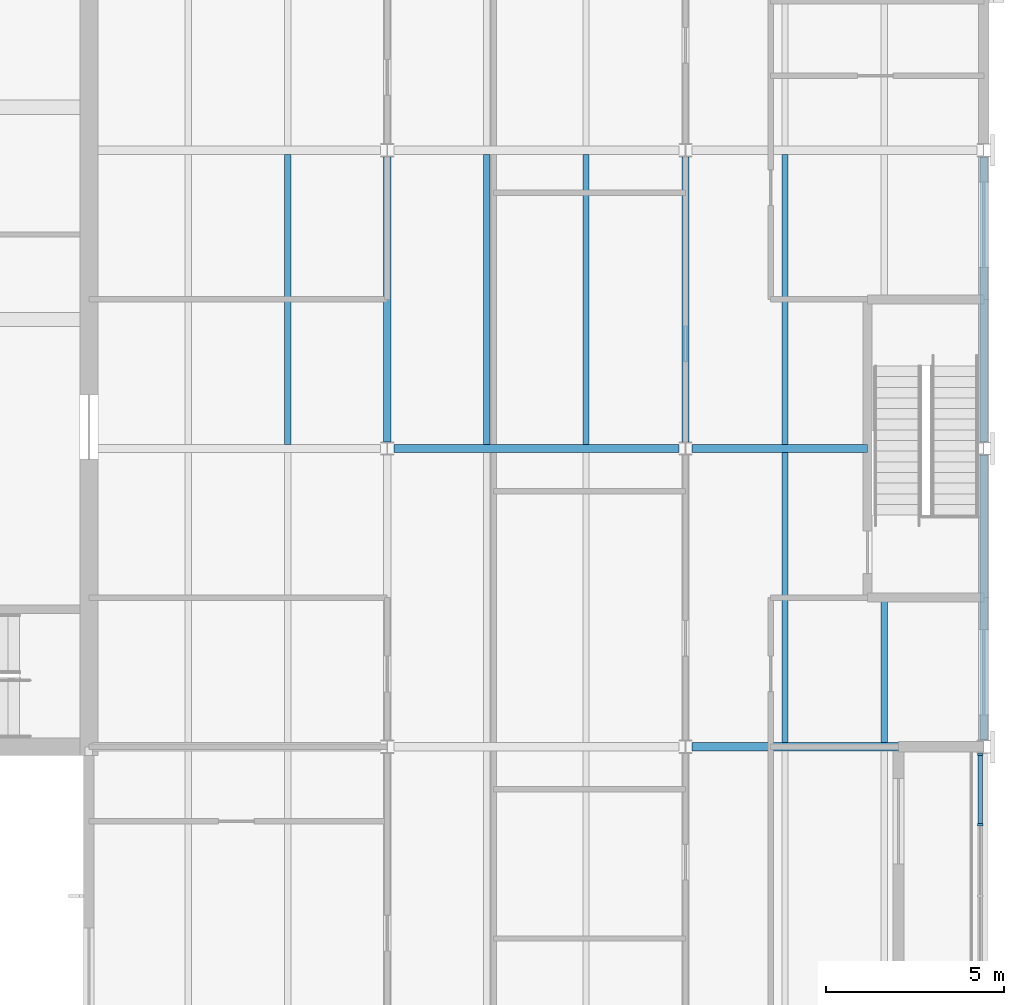
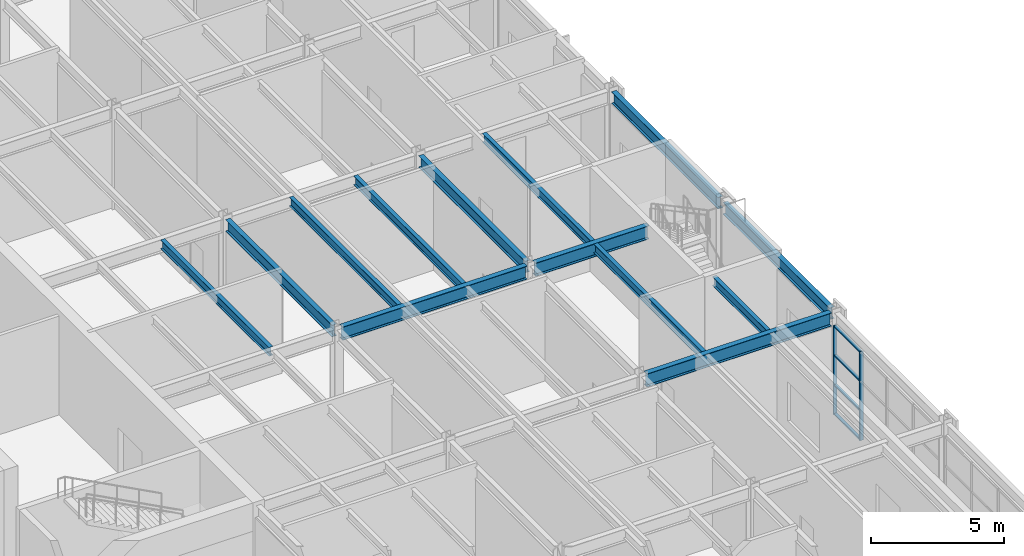
# One storey, part 29 of 127: 13 beams, 6 members, 1 element without a shape of its own.
"""IFC4 building model written with IfcOpenShell, lengths in metres."""

from ifc_helpers import new_model, si_unit, direction, frame, origin, origin_2d, place, context, subcontext, project, spatial, rectangle, i_section, extrude, material, material_profile, profile_set, type_object, element, aggregate, save


model = new_model("IFC4")

# Units and contexts
model_context = context("Model", 3, precision=1e-05, world=origin(), true_north=direction((0.0, 1.0)))
body_context = subcontext(model_context, "Body", "Model", "MODEL_VIEW")
ifc_project = project(units=[si_unit("LENGTHUNIT", "METRE"), si_unit("AREAUNIT", "SQUARE_METRE"), si_unit("VOLUMEUNIT", "CUBIC_METRE"), si_unit("PLANEANGLEUNIT", "RADIAN"), si_unit("MASSUNIT", "GRAM", prefix="KILO")], contexts=[model_context])

# Site, building, storey
site_placement = place(None, origin())
site = spatial("IfcSite", under=ifc_project, at=site_placement, CompositionType="ELEMENT")
building_placement = place(site_placement, origin())
building = spatial("IfcBuilding", under=site, at=building_placement, Name="Ljudholm Concert House", CompositionType="ELEMENT")
storey_placement = place(building_placement, frame((0.0, 0.0, 5.39990234375)))
storey = spatial("IfcBuildingStorey", under=building, at=storey_placement, Name="L01", CompositionType="ELEMENT", Elevation=5.39990234375)

# Curtain wall, members
ifc_material_1 = material(Name="Aluminium curtain wall with fixed aluminium storm louvre blades, timber-grain finish", Category="aluminium")
curtain_wall_type = type_object("IfcCurtainWallType", Name="CURTAIN WALL 2000", PredefinedType="NOTDEFINED", material=ifc_material_1)
curtain_wall_placement = place(storey_placement, origin())
curtain_wall = element("IfcCurtainWall", 1, at=curtain_wall_placement, inside=storey, type_object=curtain_wall_type, Name="Storm louvre screen", PredefinedType="NOTDEFINED")
ifc_material_2 = material(Name="Aluminium extrusion", Category="aluminium")
ifc_material_profile_1 = material_profile(ifc_material_2, rectangle(XDim=0.159912109375, YDim=0.06005859375, at=origin_2d()), Name="MULLION 60x160")
ifc_profile_set_1 = profile_set([ifc_material_profile_1], Name="Aluminium extrusion")
member_type_1 = type_object("IfcMemberType", Name="MULLION 60x160", PredefinedType="MULLION", material=ifc_profile_set_1)
member_1_placement = place(storey_placement, frame((121.5, 52.205078125, 0.0), z_axis=(0.0, 0.0, 1.0), x_axis=(-1.0, 0.0, 0.0)))
member_1 = element("IfcMember", 2, at=member_1_placement, type_object=member_type_1, Name="Mullion", PredefinedType="MULLION", context=body_context, shape_type="SweptSolid", body=[
    extrude(rectangle(XDim=0.159912109375, YDim=0.06005859375, at=origin_2d()), origin(), (0.0, 0.0, 1.0), 4.086669921875),
])
member_2_placement = place(storey_placement, frame((121.5, 54.179931640625, 0.0), z_axis=(0.0, 0.0, 1.0), x_axis=(-1.0, 0.0, 0.0)))
member_2 = element("IfcMember", 3, at=member_2_placement, type_object=member_type_1, Name="Mullion", PredefinedType="MULLION", context=body_context, shape_type="SweptSolid", body=[
    extrude(rectangle(XDim=0.159912109375, YDim=0.06005859375, at=origin_2d()), origin(), (0.0, 0.0, 1.0), 4.086669921875),
])

# Beams
ifc_material_3 = material(Name="Steel ASTM A992", Category="steel")
ifc_material_profile_2 = material_profile(ifc_material_3, i_section(OverallWidth=0.177734375, OverallDepth=0.406494140625, WebThickness=0.0078125, FlangeThickness=0.012939453125, FilletRadius=0.01025390625, at=origin_2d()), Name="W16X40")
ifc_profile_set_2 = profile_set([ifc_material_profile_2], Name="Steel ASTM A992")
beam_type_1 = type_object("IfcBeamType", Name="STEEL BEAM W16X40", PredefinedType="BEAM", material=ifc_profile_set_2)
for number, where, z_axis, x_axis, name in (
    (4, (102.0, 62.91455078125, 4.4169921875), (0.0, 1.0, 0.0), (-1.0, 0.0, 0.0), "Beam BOH-L02-sb-102-62.8"),
    (5, (107.60009765625, 62.91455078125, 4.4169921875), (0.0, 1.0, 0.0), (-1.0, 0.0, 0.0), "Beam BOH-L02-sb-107.6-62.8"),
    (6, (110.39990234375, 62.91455078125, 4.4169921875), (0.0, 1.0, 0.0), (-1.0, 0.0, 0.0), "Beam BOH-L02-sb-110.4-62.8"),
    (7, (116.0, 54.5146484375, 4.4169921875), (0.0, 1.0, 0.0), (-1.0, 0.0, 0.0), "Beam BOH-L02-sb-116-54.4"),
):
    element("IfcBeam", number, at=place(storey_placement, frame(where, z_axis=z_axis, x_axis=x_axis)), inside=storey, type_object=beam_type_1, Name=name, PredefinedType="BEAM", context=body_context, shape_type="SweptSolid", body=[
        extrude(i_section(OverallWidth=0.177734375, OverallDepth=0.406494140625, WebThickness=0.0078125, FlangeThickness=0.012939453125, FilletRadius=0.01025390625, at=origin_2d()), origin(), (0.0, 0.0, 1.0), 8.1708984375),
    ])
beam_1_placement = place(storey_placement, frame((118.800048828125, 54.5146484375, 4.4169921875), z_axis=(0.0, 1.0, 0.0), x_axis=(-1.0, 0.0, 0.0)))
element("IfcBeam", 8, at=beam_1_placement, inside=storey, type_object=beam_type_1, Name="Beam BOH-L02-sb-118.8-54.4-1", PredefinedType="BEAM", context=body_context, shape_type="SweptSolid", body=[
    extrude(i_section(OverallWidth=0.177734375, OverallDepth=0.406494140625, WebThickness=0.0078125, FlangeThickness=0.012939453125, FilletRadius=0.01025390625, at=origin_2d()), origin(), (0.0, 0.0, 1.0), 4.08544921875),
])
beam_2_placement = place(storey_placement, frame((116.0, 62.91455078125, 4.4169921875), z_axis=(0.0, 1.0, 0.0), x_axis=(-1.0, 0.0, 0.0)))
element("IfcBeam", 9, at=beam_2_placement, inside=storey, type_object=beam_type_1, Name="Beam BOH-L02-sb-116-62.8", PredefinedType="BEAM", context=body_context, shape_type="SweptSolid", body=[
    extrude(i_section(OverallWidth=0.177734375, OverallDepth=0.406494140625, WebThickness=0.0078125, FlangeThickness=0.012939453125, FilletRadius=0.01025390625, at=origin_2d()), origin(), (0.0, 0.0, 1.0), 8.1708984375),
])
ifc_material_4 = material(Name="Steel ASTM A992", Category="steel")
ifc_material_profile_3 = material_profile(ifc_material_4, i_section(OverallWidth=0.209228515625, OverallDepth=0.533447265625, WebThickness=0.01025390625, FlangeThickness=0.015625, FilletRadius=0.012939453125, at=origin_2d()), Name="W21X62")
ifc_profile_set_3 = profile_set([ifc_material_profile_3], Name="Steel ASTM A992")
beam_type_2 = type_object("IfcBeamType", Name="STEEL BEAM W21X62", PredefinedType="BEAM", material=ifc_profile_set_3)
for number, where, z_axis, x_axis, name in (
    (10, (104.800048828125, 62.986572265625, 4.353515625), (0.0, 1.0, 0.0), (-1.0, 0.0, 0.0), "Beam BOH-L02-gy-104.8-62.8"),
    (11, (113.199951171875, 62.986572265625, 4.353515625), (0.0, 1.0, 0.0), (-1.0, 0.0, 0.0), "Beam BOH-L02-gy-113.2-62.8"),
):
    element("IfcBeam", number, at=place(storey_placement, frame(where, z_axis=z_axis, x_axis=x_axis)), inside=storey, type_object=beam_type_2, Name=name, PredefinedType="BEAM", context=body_context, shape_type="SweptSolid", body=[
        extrude(i_section(OverallWidth=0.209228515625, OverallDepth=0.533447265625, WebThickness=0.01025390625, FlangeThickness=0.015625, FilletRadius=0.012939453125, at=origin_2d()), origin(), (0.0, 0.0, 1.0), 8.02685546875),
    ])
beam_3_placement = place(storey_placement, frame((121.60009765625, 54.586669921875, 4.353515625), z_axis=(0.0, 1.0, 0.0), x_axis=(-1.0, 0.0, 0.0)))
element("IfcBeam", 12, at=beam_3_placement, inside=storey, type_object=beam_type_2, Name="Beam BOH-L02-gy-121.6-54.4", PredefinedType="BEAM", context=body_context, shape_type="SweptSolid", body=[
    extrude(i_section(OverallWidth=0.209228515625, OverallDepth=0.533447265625, WebThickness=0.01025390625, FlangeThickness=0.015625, FilletRadius=0.012939453125, at=origin_2d()), origin(), (0.0, 0.0, 1.0), 8.026611328125),
])
beam_4_placement = place(storey_placement, frame((121.60009765625, 62.986572265625, 4.353515625), z_axis=(0.0, 1.0, 0.0), x_axis=(-1.0, 0.0, 0.0)))
element("IfcBeam", 13, at=beam_4_placement, inside=storey, type_object=beam_type_2, Name="Beam BOH-L02-gy-121.6-62.8", PredefinedType="BEAM", context=body_context, shape_type="SweptSolid", body=[
    extrude(i_section(OverallWidth=0.209228515625, OverallDepth=0.533447265625, WebThickness=0.01025390625, FlangeThickness=0.015625, FilletRadius=0.012939453125, at=origin_2d()), origin(), (0.0, 0.0, 1.0), 8.02685546875),
])
ifc_material_5 = material(Name="Steel ASTM A992", Category="steel")
ifc_material_profile_4 = material_profile(ifc_material_5, i_section(OverallWidth=0.22900390625, OverallDepth=0.612060546875, WebThickness=0.011962890625, FlangeThickness=0.01953125, FilletRadius=0.0126953125, at=origin_2d()), Name="W24X84")
ifc_profile_set_4 = profile_set([ifc_material_profile_4], Name="Steel ASTM A992")
beam_type_3 = type_object("IfcBeamType", Name="STEEL BEAM W24X84", PredefinedType="BEAM", material=ifc_profile_set_4)
beam_5_placement = place(storey_placement, frame((113.38671875, 54.39990234375, 4.31396484375), z_axis=(1.0, 0.0, 0.0), x_axis=(0.0, 1.0, 0.0)))
element("IfcBeam", 14, at=beam_5_placement, inside=storey, type_object=beam_type_3, Name="Beam BOH-L02-gx-113.2-54.4", PredefinedType="BEAM", context=body_context, shape_type="SweptSolid", body=[
    extrude(i_section(OverallWidth=0.22900390625, OverallDepth=0.612060546875, WebThickness=0.011962890625, FlangeThickness=0.01953125, FilletRadius=0.0126953125, at=origin_2d()), origin(), (0.0, 0.0, 1.0), 8.026611328125),
])
beam_6_placement = place(storey_placement, frame((104.986572265625, 62.800048828125, 4.31396484375), z_axis=(1.0, 0.0, 0.0), x_axis=(0.0, 1.0, 0.0)))
element("IfcBeam", 15, at=beam_6_placement, inside=storey, type_object=beam_type_3, Name="Beam BOH-L02-gx-104.8-62.8", PredefinedType="BEAM", context=body_context, shape_type="SweptSolid", body=[
    extrude(i_section(OverallWidth=0.22900390625, OverallDepth=0.612060546875, WebThickness=0.011962890625, FlangeThickness=0.01953125, FilletRadius=0.0126953125, at=origin_2d()), origin(), (0.0, 0.0, 1.0), 8.02685546875),
])
beam_7_placement = place(storey_placement, frame((113.38671875, 62.800048828125, 4.31396484375), z_axis=(1.0, 0.0, 0.0), x_axis=(0.0, 1.0, 0.0)))
element("IfcBeam", 16, at=beam_7_placement, inside=storey, type_object=beam_type_3, Name="Beam BOH-L02-gx-113.2-62.8-1", PredefinedType="BEAM", context=body_context, shape_type="SweptSolid", body=[
    extrude(i_section(OverallWidth=0.22900390625, OverallDepth=0.612060546875, WebThickness=0.011962890625, FlangeThickness=0.01953125, FilletRadius=0.0126953125, at=origin_2d()), origin(), (0.0, 0.0, 1.0), 4.938232421875),
])

# Member
ifc_material_6 = material(Name="Aluminium extrusion", Category="aluminium")
ifc_material_profile_5 = material_profile(ifc_material_6, rectangle(XDim=0.1201171875, YDim=0.06005859375, at=origin_2d()), Name="TRANSOM 60x120")
ifc_profile_set_5 = profile_set([ifc_material_profile_5], Name="Aluminium extrusion")
member_type_2 = type_object("IfcMemberType", Name="TRANSOM 60x120", PredefinedType="USERDEFINED", material=ifc_profile_set_5)
member_3_placement = place(storey_placement, frame((121.5, 52.235107421875, 0.030029296875), z_axis=(0.0, 1.0, 0.0), x_axis=(-1.0, 0.0, 0.0)))
member_3 = element("IfcMember", 17, at=member_3_placement, type_object=member_type_2, Name="Transom", ObjectType="TRANSOM", PredefinedType="USERDEFINED", context=body_context, shape_type="SweptSolid", body=[
    extrude(rectangle(XDim=0.1201171875, YDim=0.06005859375, at=origin_2d()), origin(), (0.0, 0.0, 1.0), 1.914794921875),
])

member_4_placement = place(storey_placement, frame((121.5, 52.235107421875, 1.3623046875), z_axis=(0.0, 1.0, 0.0), x_axis=(-1.0, 0.0, 0.0)))
member_4 = element("IfcMember", 18, at=member_4_placement, type_object=member_type_2, Name="Transom", ObjectType="TRANSOM", PredefinedType="USERDEFINED", context=body_context, shape_type="SweptSolid", body=[
    extrude(rectangle(XDim=0.1201171875, YDim=0.06005859375, at=origin_2d()), origin(), (0.0, 0.0, 1.0), 1.914794921875),
])

member_5_placement = place(storey_placement, frame((121.5, 52.235107421875, 2.724609375), z_axis=(0.0, 1.0, 0.0), x_axis=(-1.0, 0.0, 0.0)))
member_5 = element("IfcMember", 19, at=member_5_placement, type_object=member_type_2, Name="Transom", ObjectType="TRANSOM", PredefinedType="USERDEFINED", context=body_context, shape_type="SweptSolid", body=[
    extrude(rectangle(XDim=0.1201171875, YDim=0.06005859375, at=origin_2d()), origin(), (0.0, 0.0, 1.0), 1.914794921875),
])

member_6_placement = place(storey_placement, frame((121.5, 52.235107421875, 4.056640625), z_axis=(0.0, 1.0, 0.0), x_axis=(-1.0, 0.0, 0.0)))
member_6 = element("IfcMember", 20, at=member_6_placement, type_object=member_type_2, Name="Transom", ObjectType="TRANSOM", PredefinedType="USERDEFINED", context=body_context, shape_type="SweptSolid", body=[
    extrude(rectangle(XDim=0.1201171875, YDim=0.06005859375, at=origin_2d()), origin(), (0.0, 0.0, 1.0), 1.914794921875),
])

aggregate(curtain_wall, [member_1, member_2, member_3, member_4, member_5, member_6])

save(model, "model.ifc")
